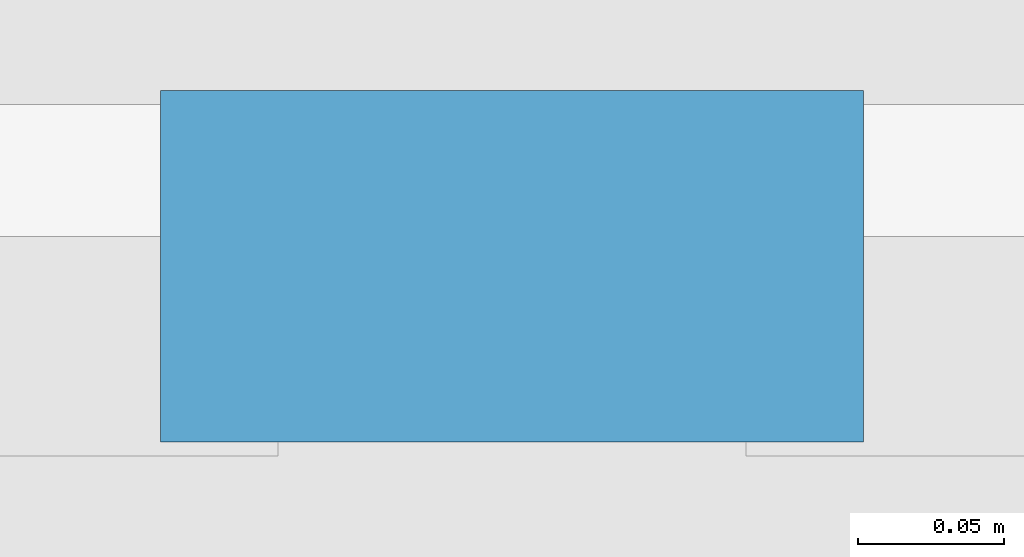
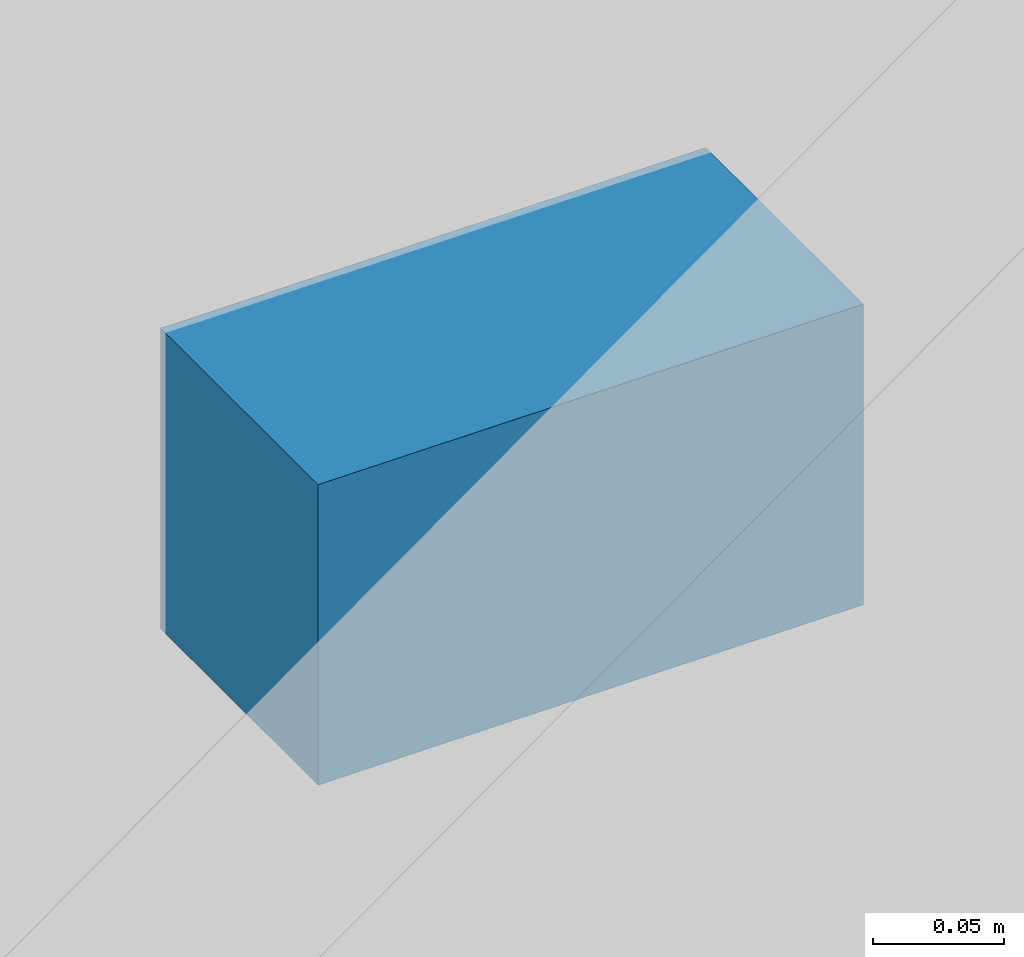
# One storey, part 57 of 79: 1 discrete accessory.
"""IFC4 building model written with IfcOpenShell, lengths in metres."""

from ifc_helpers import new_model, si_unit, direction, frame, origin, origin_2d, place, context, subcontext, project, spatial, rectangle, extrude, material, type_object, element, save


model = new_model("IFC4")

# Units and contexts
model_context = context("Model", 3, precision=1e-05, world=origin(), true_north=direction((0.0, 1.0)))
body_context = subcontext(model_context, "Body", "Model", "MODEL_VIEW")
ifc_project = project(units=[si_unit("LENGTHUNIT", "METRE"), si_unit("AREAUNIT", "SQUARE_METRE"), si_unit("VOLUMEUNIT", "CUBIC_METRE"), si_unit("PLANEANGLEUNIT", "RADIAN"), si_unit("MASSUNIT", "GRAM", prefix="KILO")], contexts=[model_context])

# Site, building, storey
site_placement = place(None, origin())
site = spatial("IfcSite", under=ifc_project, at=site_placement, CompositionType="ELEMENT")
building_placement = place(site_placement, origin())
building = spatial("IfcBuilding", under=site, at=building_placement, Name="Nzembalo Square Collegiate School", CompositionType="ELEMENT")
storey_placement = place(building_placement, frame((0.0, 0.0, 9.52001953125)))
storey = spatial("IfcBuildingStorey", under=building, at=storey_placement, Name="L02", CompositionType="ELEMENT", Elevation=9.52001953125)

# Discrete accessory
ifc_material = material(Name="Steel S355", Category="steel")
discrete_accessory_type = type_object("IfcDiscreteAccessoryType", Name="BK01", PredefinedType="BRACKET", material=ifc_material)
discrete_accessory_placement = place(storey_placement, frame((135.64501953125, 50.58740234375, 1.97705078125), z_axis=(0.0, 0.0, 1.0), x_axis=(1.0, 0.0, 0.0)))
element("IfcDiscreteAccessory", 1, at=discrete_accessory_placement, inside=storey, type_object=discrete_accessory_type, Name="Screen bracket BK01-001", PredefinedType="BRACKET", context=body_context, shape_type="SweptSolid", body=[
    extrude(rectangle(XDim=0.239990234375, YDim=0.1201171875, at=origin_2d()), origin(), (0.0, 0.0, 1.0), 0.139892578125),
])

save(model, "model.ifc")
